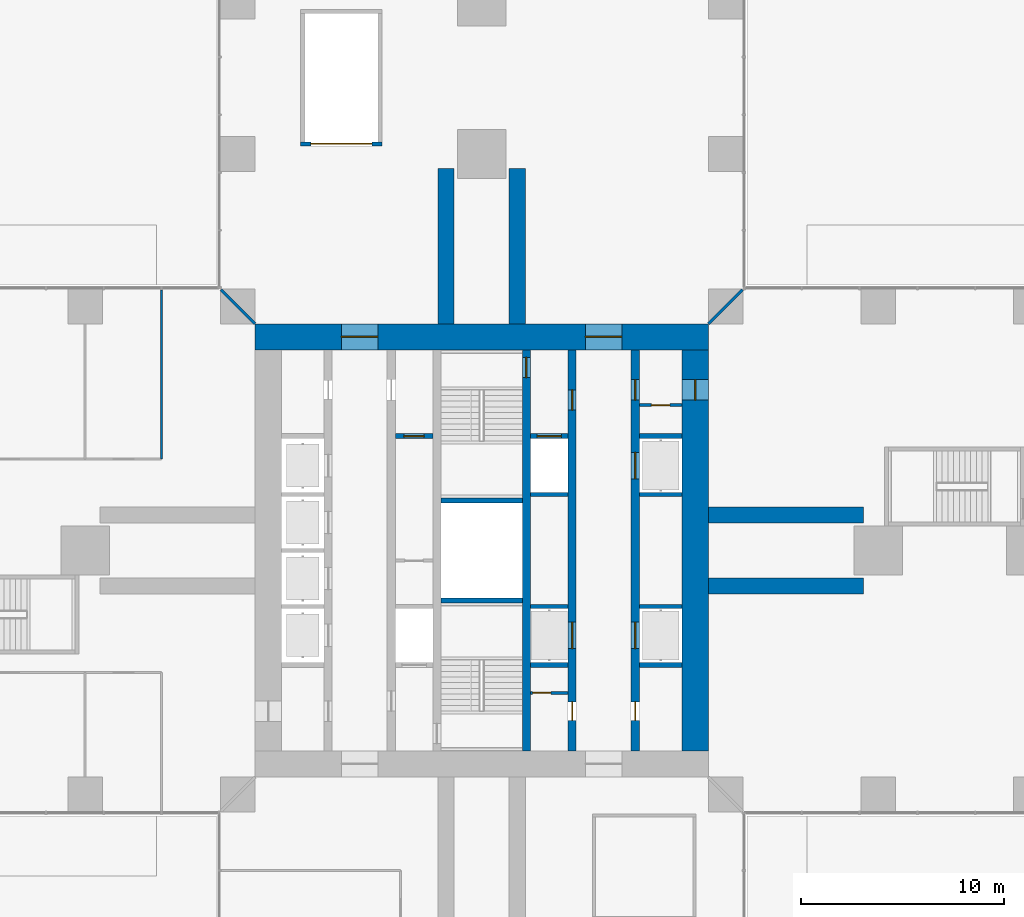
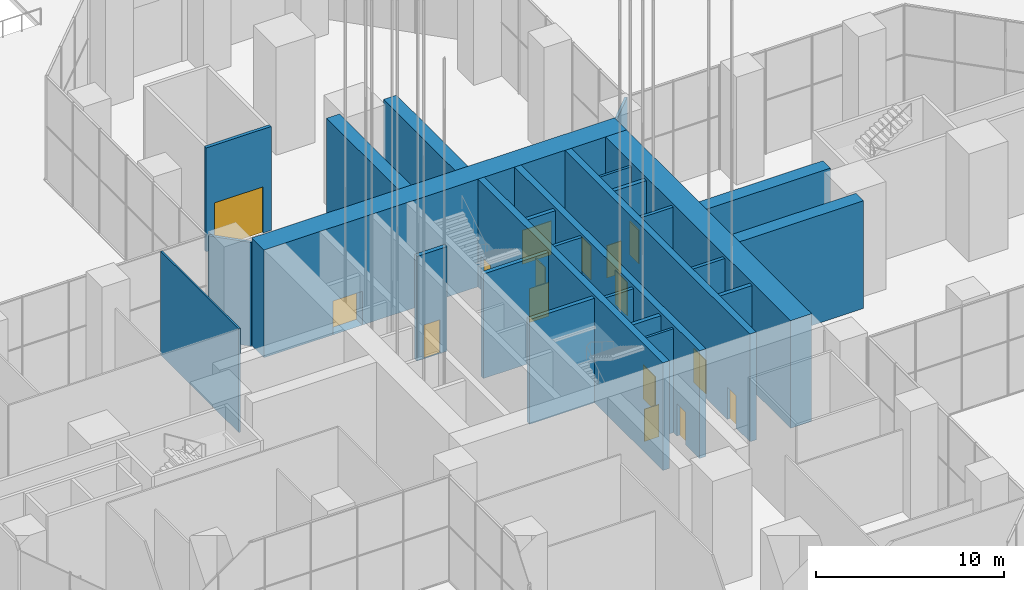
# One storey, part 19 of 43: 26 walls, 16 doors, 16 openings.
"""IFC4 building model written with IfcOpenShell, lengths in metres."""

from ifc_helpers import new_model, si_unit, direction, frame, frame_2d, origin, place, context, subcontext, project, spatial, rectangle, extrude, material, layer, layer_set, type_object, element, fill, save


model = new_model("IFC4")

# Units and contexts
model_context = context("Model", 3, precision=1e-05, world=origin(), true_north=direction((0.0, 1.0)))
body_context = subcontext(model_context, "Body", "Model", "MODEL_VIEW")
ifc_project = project(units=[si_unit("LENGTHUNIT", "METRE"), si_unit("AREAUNIT", "SQUARE_METRE"), si_unit("VOLUMEUNIT", "CUBIC_METRE"), si_unit("PLANEANGLEUNIT", "RADIAN"), si_unit("MASSUNIT", "GRAM", prefix="KILO")], contexts=[model_context])

# Site, building, storey
site_placement = place(None, origin())
site = spatial("IfcSite", under=ifc_project, at=site_placement, CompositionType="ELEMENT")
building_placement = place(site_placement, origin())
building = spatial("IfcBuilding", under=site, at=building_placement, Name="Mizan Broadcast Tower", CompositionType="ELEMENT")
storey_placement = place(building_placement, origin())
storey = spatial("IfcBuildingStorey", under=building, at=storey_placement, Name="L00", CompositionType="ELEMENT", Elevation=0.0)

# Wall, openings, doors
ifc_material_1 = material(Name="Concrete C70/85", Category="concrete")
ifc_layer_1 = layer(ifc_material_1, 0.39990234375)
ifc_layer_set_1 = layer_set([ifc_layer_1], Name="Concrete C70/85")
wall_type_1 = type_object("IfcWallType", Name="CORE INTERNAL WALL 400", PredefinedType="SHEAR", material=ifc_layer_set_1)
wall_1_placement = place(storey_placement, frame((7.550048828125, 9.85009765625, 0.0), z_axis=(0.0, 0.0, 1.0), x_axis=(0.0, -1.0, 0.0)))
wall_1 = element("IfcWall", 1, at=wall_1_placement, inside=storey, type_object=wall_type_1, Name="Core wall CORE/XW1E", PredefinedType="SHEAR", context=body_context, shape_type="SweptSolid", body=[
    extrude(rectangle(XDim=19.7001953125, YDim=0.39990234375, at=frame_2d((9.85009765625, 0.0))), origin(), (0.0, 0.0, 1.0), 7.0),
])
opening_1_placement = place(wall_1_placement, frame((1.449951171875, 0.0, 0.0)))
opening_1 = element("IfcOpeningElement", 2, at=opening_1_placement, cuts=wall_1, Name="Opening D10F", PredefinedType="OPENING", context=body_context, shape_type="SweptSolid", body=[
    extrude(rectangle(XDim=1.0, YDim=2.199951171875, at=frame_2d((0.5, 1.10009765625))), frame((0.0, 0.2099609375, 0.0), z_axis=(0.0, -1.0, 0.0), x_axis=(1.0, 0.0, 0.0)), (0.0, 0.0, 1.0), 0.419921875),
])
opening_2_placement = place(wall_1_placement, frame((17.300048828125, 0.0, 0.0)))
opening_2 = element("IfcOpeningElement", 3, at=opening_2_placement, cuts=wall_1, Name="Opening D09", PredefinedType="OPENING", context=body_context, shape_type="SweptSolid", body=[
    extrude(rectangle(XDim=0.89990234375, YDim=2.10009765625, at=frame_2d((0.449951171875, 1.050048828125))), frame((0.0, 0.2099609375, 0.0), z_axis=(0.0, -1.0, 0.0), x_axis=(1.0, 0.0, 0.0)), (0.0, 0.0, 1.0), 0.419921875),
])
opening_3_placement = place(wall_1_placement, frame((5.02490234375, 0.0, 0.0)))
opening_3 = element("IfcOpeningElement", 4, at=opening_3_placement, cuts=wall_1, Name="Opening LDS", PredefinedType="OPENING", context=body_context, shape_type="SweptSolid", body=[
    extrude(rectangle(XDim=1.300048828125, YDim=2.199951171875, at=frame_2d((0.64990234375, 1.10009765625))), frame((0.0, 0.2099609375, 0.0), z_axis=(0.0, -1.0, 0.0), x_axis=(1.0, 0.0, 0.0)), (0.0, 0.0, 1.0), 0.419921875),
])
opening_4_placement = place(wall_1_placement, frame((13.375, 0.0, 0.0)))
opening_4 = element("IfcOpeningElement", 5, at=opening_4_placement, cuts=wall_1, Name="Opening LDS", PredefinedType="OPENING", context=body_context, shape_type="SweptSolid", body=[
    extrude(rectangle(XDim=1.300048828125, YDim=2.199951171875, at=frame_2d((0.64990234375, 1.10009765625))), frame((0.0, 0.2099609375, 0.0), z_axis=(0.0, -1.0, 0.0), x_axis=(1.0, 0.0, 0.0)), (0.0, 0.0, 1.0), 0.419921875),
])
ifc_material_2 = material(Name="Steel door leaf in steel frame", Category="steel")
door_type_1 = type_object("IfcDoorType", Name="FIRE DOOR 1000 FD90", OperationType="SINGLE_SWING_LEFT", PredefinedType="DOOR", material=ifc_material_2)
door_1_placement = place(opening_1_placement, origin())
door_1 = element("IfcDoor", 6, at=door_1_placement, inside=storey, type_object=door_type_1, Name="East core passage door", OperationType="SINGLE_SWING_LEFT", OverallHeight=2.199951171875, OverallWidth=1.0, PredefinedType="DOOR", context=body_context, shape_type="SweptSolid", body=[
    extrude(rectangle(XDim=1.0, YDim=2.199951171875, at=frame_2d((0.5, 1.10009765625))), frame((0.0, 0.02490234375, 0.0), z_axis=(0.0, -1.0, 0.0), x_axis=(1.0, 0.0, 0.0)), (0.0, 0.0, 1.0), 0.050048828125),
])
fill(opening_1, door_1)
ifc_material_3 = material(Name="Steel door leaf in steel frame", Category="steel")
door_type_2 = type_object("IfcDoorType", Name="SHUTTLE LIFT LANDING DOOR 1300", OperationType="SLIDING_TO_LEFT", PredefinedType="DOOR", material=ifc_material_3)
door_2_placement = place(opening_3_placement, origin())
door_2 = element("IfcDoor", 7, at=door_2_placement, inside=storey, type_object=door_type_2, Name="Landing door SH1", OperationType="SLIDING_TO_LEFT", OverallHeight=2.199951171875, OverallWidth=1.300048828125, PredefinedType="DOOR", context=body_context, shape_type="SweptSolid", body=[
    extrude(rectangle(XDim=1.300048828125, YDim=2.199951171875, at=frame_2d((0.64990234375, 1.10009765625))), frame((0.0, 0.02490234375, 0.0), z_axis=(0.0, -1.0, 0.0), x_axis=(1.0, 0.0, 0.0)), (0.0, 0.0, 1.0), 0.050048828125),
])
fill(opening_3, door_2)
door_3_placement = place(opening_4_placement, origin())
door_3 = element("IfcDoor", 8, at=door_3_placement, inside=storey, type_object=door_type_2, Name="Landing door SH2", OperationType="SLIDING_TO_LEFT", OverallHeight=2.199951171875, OverallWidth=1.300048828125, PredefinedType="DOOR", context=body_context, shape_type="SweptSolid", body=[
    extrude(rectangle(XDim=1.300048828125, YDim=2.199951171875, at=frame_2d((0.64990234375, 1.10009765625))), frame((0.0, 0.02490234375, 0.0), z_axis=(0.0, -1.0, 0.0), x_axis=(1.0, 0.0, 0.0)), (0.0, 0.0, 1.0), 0.050048828125),
])
fill(opening_4, door_3)
ifc_material_4 = material(Name="Timber door leaf in aluminium frame", Category="wood")
door_type_3 = type_object("IfcDoorType", Name="TOILET DOOR 900", OperationType="SINGLE_SWING_LEFT", PredefinedType="DOOR", material=ifc_material_4)
door_4_placement = place(opening_2_placement, origin())
door_4 = element("IfcDoor", 9, at=door_4_placement, inside=storey, type_object=door_type_3, Name="Female WC door", OperationType="SINGLE_SWING_RIGHT", OverallHeight=2.10009765625, OverallWidth=0.89990234375, PredefinedType="DOOR", context=body_context, shape_type="SweptSolid", body=[
    extrude(rectangle(XDim=0.89990234375, YDim=2.10009765625, at=frame_2d((0.449951171875, 1.050048828125))), frame((0.0, 0.02490234375, 0.0), z_axis=(0.0, -1.0, 0.0), x_axis=(1.0, 0.0, 0.0)), (0.0, 0.0, 1.0), 0.050048828125),
])
fill(opening_2, door_4)

wall_2_placement = place(storey_placement, frame((4.449951171875, 9.85009765625, 0.0), z_axis=(0.0, 0.0, 1.0), x_axis=(0.0, -1.0, 0.0)))
wall_2 = element("IfcWall", 10, at=wall_2_placement, inside=storey, type_object=wall_type_1, Name="Core wall CORE/XWHE", PredefinedType="SHEAR", context=body_context, shape_type="SweptSolid", body=[
    extrude(rectangle(XDim=19.7001953125, YDim=0.39990234375, at=frame_2d((9.85009765625, 0.0))), origin(), (0.0, 0.0, 1.0), 7.0),
])
opening_5_placement = place(wall_2_placement, frame((1.949951171875, 0.0, 0.0)))
opening_5 = element("IfcOpeningElement", 11, at=opening_5_placement, cuts=wall_2, Name="Opening D10F", PredefinedType="OPENING", context=body_context, shape_type="SweptSolid", body=[
    extrude(rectangle(XDim=1.0, YDim=2.199951171875, at=frame_2d((0.5, 1.10009765625))), frame((0.0, 0.2099609375, 0.0), z_axis=(0.0, -1.0, 0.0), x_axis=(1.0, 0.0, 0.0)), (0.0, 0.0, 1.0), 0.419921875),
])
opening_6_placement = place(wall_2_placement, frame((17.300048828125, 0.0, 0.0)))
opening_6 = element("IfcOpeningElement", 12, at=opening_6_placement, cuts=wall_2, Name="Opening D09", PredefinedType="OPENING", context=body_context, shape_type="SweptSolid", body=[
    extrude(rectangle(XDim=0.89990234375, YDim=2.10009765625, at=frame_2d((0.449951171875, 1.050048828125))), frame((0.0, 0.2099609375, 0.0), z_axis=(0.0, -1.0, 0.0), x_axis=(1.0, 0.0, 0.0)), (0.0, 0.0, 1.0), 0.419921875),
])
opening_7_placement = place(wall_2_placement, frame((13.375, 0.0, 0.0)))
opening_7 = element("IfcOpeningElement", 13, at=opening_7_placement, cuts=wall_2, Name="Opening LDS", PredefinedType="OPENING", context=body_context, shape_type="SweptSolid", body=[
    extrude(rectangle(XDim=1.300048828125, YDim=2.199951171875, at=frame_2d((0.64990234375, 1.10009765625))), frame((0.0, 0.2099609375, 0.0), z_axis=(0.0, -1.0, 0.0), x_axis=(1.0, 0.0, 0.0)), (0.0, 0.0, 1.0), 0.419921875),
])
door_5_placement = place(opening_5_placement, origin())
door_5 = element("IfcDoor", 14, at=door_5_placement, inside=storey, type_object=door_type_1, Name="Firefighting lobby B door", OperationType="SINGLE_SWING_LEFT", OverallHeight=2.199951171875, OverallWidth=1.0, PredefinedType="DOOR", context=body_context, shape_type="SweptSolid", body=[
    extrude(rectangle(XDim=1.0, YDim=2.199951171875, at=frame_2d((0.5, 1.10009765625))), frame((0.0, 0.02490234375, 0.0), z_axis=(0.0, -1.0, 0.0), x_axis=(1.0, 0.0, 0.0)), (0.0, 0.0, 1.0), 0.050048828125),
])
fill(opening_5, door_5)
door_6_placement = place(opening_7_placement, origin())
door_6 = element("IfcDoor", 15, at=door_6_placement, inside=storey, type_object=door_type_2, Name="Landing door SH3", OperationType="SLIDING_TO_LEFT", OverallHeight=2.199951171875, OverallWidth=1.300048828125, PredefinedType="DOOR", context=body_context, shape_type="SweptSolid", body=[
    extrude(rectangle(XDim=1.300048828125, YDim=2.199951171875, at=frame_2d((0.64990234375, 1.10009765625))), frame((0.0, 0.02490234375, 0.0), z_axis=(0.0, -1.0, 0.0), x_axis=(1.0, 0.0, 0.0)), (0.0, 0.0, 1.0), 0.050048828125),
])
fill(opening_7, door_6)
door_7_placement = place(opening_6_placement, origin())
door_7 = element("IfcDoor", 16, at=door_7_placement, inside=storey, type_object=door_type_3, Name="Cleaner's store door", OperationType="SINGLE_SWING_RIGHT", OverallHeight=2.10009765625, OverallWidth=0.89990234375, PredefinedType="DOOR", context=body_context, shape_type="SweptSolid", body=[
    extrude(rectangle(XDim=0.89990234375, YDim=2.10009765625, at=frame_2d((0.449951171875, 1.050048828125))), frame((0.0, 0.02490234375, 0.0), z_axis=(0.0, -1.0, 0.0), x_axis=(1.0, 0.0, 0.0)), (0.0, 0.0, 1.0), 0.050048828125),
])
fill(opening_6, door_7)

# Wall, opening, door
wall_3_placement = place(storey_placement, frame((2.199951171875, 9.85009765625, 0.0), z_axis=(0.0, 0.0, 1.0), x_axis=(0.0, -1.0, 0.0)))
wall_3 = element("IfcWall", 17, at=wall_3_placement, inside=storey, type_object=wall_type_1, Name="Core wall CORE/XW2E", PredefinedType="SHEAR", context=body_context, shape_type="SweptSolid", body=[
    extrude(rectangle(XDim=19.7001953125, YDim=0.39990234375, at=frame_2d((9.85009765625, 0.0))), origin(), (0.0, 0.0, 1.0), 7.0),
])
opening_8_placement = place(wall_3_placement, frame((0.35009765625, 0.0, 0.0)))
opening_8 = element("IfcOpeningElement", 18, at=opening_8_placement, cuts=wall_3, Name="Opening D10S", PredefinedType="OPENING", context=body_context, shape_type="SweptSolid", body=[
    extrude(rectangle(XDim=1.0, YDim=2.199951171875, at=frame_2d((0.5, 1.10009765625))), frame((0.0, 0.2099609375, 0.0), z_axis=(0.0, -1.0, 0.0), x_axis=(1.0, 0.0, 0.0)), (0.0, 0.0, 1.0), 0.419921875),
])
ifc_material_5 = material(Name="Steel door leaf in steel frame", Category="steel")
door_type_4 = type_object("IfcDoorType", Name="STAIR DOOR 1000 FD90S", OperationType="SINGLE_SWING_RIGHT", PredefinedType="DOOR", material=ifc_material_5)
door_8_placement = place(opening_8_placement, origin())
door_8 = element("IfcDoor", 19, at=door_8_placement, inside=storey, type_object=door_type_4, Name="Stair B door", OperationType="SINGLE_SWING_RIGHT", OverallHeight=2.199951171875, OverallWidth=1.0, PredefinedType="DOOR", context=body_context, shape_type="SweptSolid", body=[
    extrude(rectangle(XDim=1.0, YDim=2.199951171875, at=frame_2d((0.5, 1.10009765625))), frame((0.0, 0.02490234375, 0.0), z_axis=(0.0, -1.0, 0.0), x_axis=(1.0, 0.0, 0.0)), (0.0, 0.0, 1.0), 0.050048828125),
])
fill(opening_8, door_8)

ifc_material_6 = material(Name="Concrete blockwork", Category="masonry")
ifc_layer_2 = layer(ifc_material_6, 0.14990234375)
ifc_layer_set_2 = layer_set([ifc_layer_2], Name="Concrete blockwork")
wall_type_2 = type_object("IfcWallType", Name="CORE PARTITION 150", PredefinedType="SOLIDWALL", material=ifc_layer_set_2)
wall_4_placement = place(storey_placement, frame((2.39990234375, -7.0, 0.0), z_axis=(0.0, 0.0, 1.0), x_axis=(1.0, 0.0, 0.0)))
wall_4 = element("IfcWall", 20, at=wall_4_placement, inside=storey, type_object=wall_type_2, Name="Core partition CORE/XPC", PredefinedType="SOLIDWALL", context=body_context, shape_type="SweptSolid", body=[
    extrude(rectangle(XDim=1.85009765625, YDim=0.14990234375, at=frame_2d((0.925048828125, 0.0))), origin(), (0.0, 0.0, 1.0), 6.75),
])
opening_9_placement = place(wall_4_placement, frame((0.10009765625, 0.0, 0.0)))
opening_9 = element("IfcOpeningElement", 21, at=opening_9_placement, cuts=wall_4, Name="Opening D09F", PredefinedType="OPENING", context=body_context, shape_type="SweptSolid", body=[
    extrude(rectangle(XDim=0.89990234375, YDim=2.10009765625, at=frame_2d((0.449951171875, 1.050048828125))), frame((0.0, 0.0849609375, 0.0), z_axis=(0.0, -1.0, 0.0), x_axis=(1.0, 0.0, 0.0)), (0.0, 0.0, 1.0), 0.169921875),
])
ifc_material_7 = material(Name="Steel door leaf in steel frame", Category="steel")
door_type_5 = type_object("IfcDoorType", Name="CORE ROOM DOOR 900 FD90", OperationType="SINGLE_SWING_LEFT", PredefinedType="DOOR", material=ifc_material_7)
door_9_placement = place(opening_9_placement, origin())
door_9 = element("IfcDoor", 22, at=door_9_placement, inside=storey, type_object=door_type_5, Name="Cleaning materials store door", OperationType="SINGLE_SWING_LEFT", OverallHeight=2.10009765625, OverallWidth=0.89990234375, PredefinedType="DOOR", context=body_context, shape_type="SweptSolid", body=[
    extrude(rectangle(XDim=0.89990234375, YDim=2.10009765625, at=frame_2d((0.449951171875, 1.050048828125))), frame((0.0, 0.02490234375, 0.0), z_axis=(0.0, -1.0, 0.0), x_axis=(1.0, 0.0, 0.0)), (0.0, 0.0, 1.0), 0.050048828125),
])
fill(opening_9, door_9)

wall_5_placement = place(storey_placement, frame((9.85009765625, 7.14990234375, 0.0), z_axis=(0.0, 0.0, 1.0), x_axis=(-1.0, 0.0, 0.0)))
wall_5 = element("IfcWall", 23, at=wall_5_placement, inside=storey, type_object=wall_type_2, Name="Core partition CORE/XPE", PredefinedType="SOLIDWALL", context=body_context, shape_type="SweptSolid", body=[
    extrude(rectangle(XDim=2.10009765625, YDim=0.14990234375, at=frame_2d((1.050048828125, 0.0))), origin(), (0.0, 0.0, 1.0), 6.75),
])
opening_10_placement = place(wall_5_placement, frame((0.60009765625, 0.0, 0.0)))
opening_10 = element("IfcOpeningElement", 24, at=opening_10_placement, cuts=wall_5, Name="Opening D09F", PredefinedType="OPENING", context=body_context, shape_type="SweptSolid", body=[
    extrude(rectangle(XDim=0.89990234375, YDim=2.10009765625, at=frame_2d((0.449951171875, 1.050048828125))), frame((0.0, 0.0849609375, 0.0), z_axis=(0.0, -1.0, 0.0), x_axis=(1.0, 0.0, 0.0)), (0.0, 0.0, 1.0), 0.169921875),
])
door_10_placement = place(opening_10_placement, origin())
door_10 = element("IfcDoor", 25, at=door_10_placement, inside=storey, type_object=door_type_5, Name="Comms cupboard door", OperationType="SINGLE_SWING_RIGHT", OverallHeight=2.10009765625, OverallWidth=0.89990234375, PredefinedType="DOOR", context=body_context, shape_type="SweptSolid", body=[
    extrude(rectangle(XDim=0.89990234375, YDim=2.10009765625, at=frame_2d((0.449951171875, 1.050048828125))), frame((0.0, 0.02490234375, 0.0), z_axis=(0.0, -1.0, 0.0), x_axis=(1.0, 0.0, 0.0)), (0.0, 0.0, 1.0), 0.050048828125),
])
fill(opening_10, door_10)

# Wall, openings, doors
ifc_material_8 = material(Name="Concrete C70/85", Category="concrete")
ifc_layer_3 = layer(ifc_material_8, 1.300048828125)
ifc_layer_set_3 = layer_set([ifc_layer_3], Name="Concrete C70/85")
wall_type_3 = type_object("IfcWallType", Name="CORE WALL 1300", PredefinedType="SHEAR", material=ifc_layer_set_3)
wall_6_placement = place(storey_placement, frame((-11.14990234375, 10.5, 0.0), z_axis=(0.0, 0.0, 1.0), x_axis=(1.0, 0.0, 0.0)))
wall_6 = element("IfcWall", 26, at=wall_6_placement, inside=storey, type_object=wall_type_3, Name="Core wall N L00", PredefinedType="SHEAR", context=body_context, shape_type="SweptSolid", body=[
    extrude(rectangle(XDim=22.2998046875, YDim=1.300048828125, at=frame_2d((11.14990234375, 0.0))), origin(), (0.0, 0.0, 1.0), 7.0),
])
opening_11_placement = place(wall_6_placement, frame((4.25, 0.0, 0.0)))
opening_11 = element("IfcOpeningElement", 27, at=opening_11_placement, cuts=wall_6, Name="Opening D18F", PredefinedType="OPENING", context=body_context, shape_type="SweptSolid", body=[
    extrude(rectangle(XDim=1.800048828125, YDim=2.199951171875, at=frame_2d((0.89990234375, 1.10009765625))), frame((0.0, 0.659912109375, 0.0), z_axis=(0.0, -1.0, 0.0), x_axis=(1.0, 0.0, 0.0)), (0.0, 0.0, 1.0), 1.320068359375),
])
opening_12_placement = place(wall_6_placement, frame((16.25, 0.0, 0.0)))
opening_12 = element("IfcOpeningElement", 28, at=opening_12_placement, cuts=wall_6, Name="Opening D18F", PredefinedType="OPENING", context=body_context, shape_type="SweptSolid", body=[
    extrude(rectangle(XDim=1.800048828125, YDim=2.199951171875, at=frame_2d((0.89990234375, 1.10009765625))), frame((0.0, 0.659912109375, 0.0), z_axis=(0.0, -1.0, 0.0), x_axis=(1.0, 0.0, 0.0)), (0.0, 0.0, 1.0), 1.320068359375),
])
ifc_material_9 = material(Name="Steel door leaf in steel frame", Category="steel")
door_type_6 = type_object("IfcDoorType", Name="LOBBY DOUBLE DOOR 1800 FD90", OperationType="DOUBLE_DOOR_DOUBLE_SWING", PredefinedType="DOOR", material=ifc_material_9)
door_11_placement = place(opening_11_placement, origin())
door_11 = element("IfcDoor", 29, at=door_11_placement, inside=storey, type_object=door_type_6, Name="West lift lobby north door", OperationType="DOUBLE_DOOR_DOUBLE_SWING", OverallHeight=2.199951171875, OverallWidth=1.800048828125, PredefinedType="DOOR", context=body_context, shape_type="SweptSolid", body=[
    extrude(rectangle(XDim=1.800048828125, YDim=2.199951171875, at=frame_2d((0.89990234375, 1.10009765625))), frame((0.0, 0.02490234375, 0.0), z_axis=(0.0, -1.0, 0.0), x_axis=(1.0, 0.0, 0.0)), (0.0, 0.0, 1.0), 0.050048828125),
])
fill(opening_11, door_11)
door_12_placement = place(opening_12_placement, origin())
door_12 = element("IfcDoor", 30, at=door_12_placement, inside=storey, type_object=door_type_6, Name="East lift lobby north door", OperationType="DOUBLE_DOOR_DOUBLE_SWING", OverallHeight=2.199951171875, OverallWidth=1.800048828125, PredefinedType="DOOR", context=body_context, shape_type="SweptSolid", body=[
    extrude(rectangle(XDim=1.800048828125, YDim=2.199951171875, at=frame_2d((0.89990234375, 1.10009765625))), frame((0.0, 0.02490234375, 0.0), z_axis=(0.0, -1.0, 0.0), x_axis=(1.0, 0.0, 0.0)), (0.0, 0.0, 1.0), 0.050048828125),
])
fill(opening_12, door_12)

# Wall, opening, door
wall_7_placement = place(storey_placement, frame((10.5, -9.85009765625, 0.0), z_axis=(0.0, 0.0, 1.0), x_axis=(0.0, 1.0, 0.0)))
wall_7 = element("IfcWall", 31, at=wall_7_placement, inside=storey, type_object=wall_type_3, Name="Core wall E L00", PredefinedType="SHEAR", context=body_context, shape_type="SweptSolid", body=[
    extrude(rectangle(XDim=19.7001953125, YDim=1.300048828125, at=frame_2d((9.85009765625, 0.0))), origin(), (0.0, 0.0, 1.0), 7.0),
])
opening_13_placement = place(wall_7_placement, frame((17.25, 0.0, 0.0)))
opening_13 = element("IfcOpeningElement", 32, at=opening_13_placement, cuts=wall_7, Name="Opening D10F", PredefinedType="OPENING", context=body_context, shape_type="SweptSolid", body=[
    extrude(rectangle(XDim=1.0, YDim=2.199951171875, at=frame_2d((0.5, 1.10009765625))), frame((0.0, 0.659912109375, 0.0), z_axis=(0.0, -1.0, 0.0), x_axis=(1.0, 0.0, 0.0)), (0.0, 0.0, 1.0), 1.320068359375),
])
door_13_placement = place(opening_13_placement, origin())
door_13 = element("IfcDoor", 33, at=door_13_placement, inside=storey, type_object=door_type_1, Name="East core passage arm door", OperationType="SINGLE_SWING_RIGHT", OverallHeight=2.199951171875, OverallWidth=1.0, PredefinedType="DOOR", context=body_context, shape_type="SweptSolid", body=[
    extrude(rectangle(XDim=1.0, YDim=2.199951171875, at=frame_2d((0.5, 1.10009765625))), frame((0.0, 0.02490234375, 0.0), z_axis=(0.0, -1.0, 0.0), x_axis=(1.0, 0.0, 0.0)), (0.0, 0.0, 1.0), 0.050048828125),
])
fill(opening_13, door_13)

# Walls
ifc_material_10 = material(Name="Concrete blockwork", Category="masonry")
ifc_layer_4 = layer(ifc_material_10, 0.199951171875)
ifc_layer_set_4 = layer_set([ifc_layer_4], Name="Concrete blockwork")
wall_type_4 = type_object("IfcWallType", Name="LIFT SHAFT WALL 200", PredefinedType="SOLIDWALL", material=ifc_layer_set_4)
wall_8_placement = place(storey_placement, frame((2.39990234375, -2.75, 0.0), z_axis=(0.0, 0.0, 1.0), x_axis=(1.0, 0.0, 0.0)))
element("IfcWall", 34, at=wall_8_placement, inside=storey, type_object=wall_type_4, Name="Lift shaft wall CORE/SE2-1", PredefinedType="SOLIDWALL", context=body_context, shape_type="SweptSolid", body=[
    extrude(rectangle(XDim=1.85009765625, YDim=0.199951171875, at=frame_2d((0.925048828125, 0.0))), origin(), (0.0, 0.0, 1.0), 6.800048828125),
])
wall_9_placement = place(storey_placement, frame((7.75, -2.75, 0.0), z_axis=(0.0, 0.0, 1.0), x_axis=(1.0, 0.0, 0.0)))
element("IfcWall", 35, at=wall_9_placement, inside=storey, type_object=wall_type_4, Name="Lift shaft wall CORE/SE1-1", PredefinedType="SOLIDWALL", context=body_context, shape_type="SweptSolid", body=[
    extrude(rectangle(XDim=2.10009765625, YDim=0.199951171875, at=frame_2d((1.050048828125, 0.0))), origin(), (0.0, 0.0, 1.0), 6.800048828125),
])
wall_10_placement = place(storey_placement, frame((2.39990234375, 2.75, 0.0), z_axis=(0.0, 0.0, 1.0), x_axis=(1.0, 0.0, 0.0)))
element("IfcWall", 36, at=wall_10_placement, inside=storey, type_object=wall_type_4, Name="Lift shaft wall CORE/SE2-3", PredefinedType="SOLIDWALL", context=body_context, shape_type="SweptSolid", body=[
    extrude(rectangle(XDim=1.85009765625, YDim=0.199951171875, at=frame_2d((0.925048828125, 0.0))), origin(), (0.0, 0.0, 1.0), 6.800048828125),
])
wall_11_placement = place(storey_placement, frame((7.75, 2.75, 0.0), z_axis=(0.0, 0.0, 1.0), x_axis=(1.0, 0.0, 0.0)))
element("IfcWall", 37, at=wall_11_placement, inside=storey, type_object=wall_type_4, Name="Lift shaft wall CORE/SE1-3", PredefinedType="SOLIDWALL", context=body_context, shape_type="SweptSolid", body=[
    extrude(rectangle(XDim=2.10009765625, YDim=0.199951171875, at=frame_2d((1.050048828125, 0.0))), origin(), (0.0, 0.0, 1.0), 6.800048828125),
])

# Wall, opening, door
wall_12_placement = place(storey_placement, frame((-4.89990234375, 20.0, 0.0), z_axis=(0.0, 0.0, 1.0), x_axis=(-1.0, 0.0, 0.0)))
wall_12 = element("IfcWall", 38, at=wall_12_placement, inside=storey, type_object=wall_type_4, Name="Lift shaft wall GLS/U0", PredefinedType="SOLIDWALL", context=body_context, shape_type="SweptSolid", body=[
    extrude(rectangle(XDim=4.0, YDim=0.199951171875, at=frame_2d((2.0, 0.0))), origin(), (0.0, 0.0, 1.0), 6.75),
])
opening_14_placement = place(wall_12_placement, frame((0.5, 0.0, 0.0)))
opening_14 = element("IfcOpeningElement", 39, at=opening_14_placement, cuts=wall_12, Name="Opening LDG", PredefinedType="OPENING", context=body_context, shape_type="SweptSolid", body=[
    extrude(rectangle(XDim=3.0, YDim=3.0, at=frame_2d((1.5, 1.5))), frame((0.0, 0.10986328125, 0.0), z_axis=(0.0, -1.0, 0.0), x_axis=(1.0, 0.0, 0.0)), (0.0, 0.0, 1.0), 0.219970703125),
])
ifc_material_11 = material(Name="Steel door leaf in steel frame", Category="steel")
door_type_7 = type_object("IfcDoorType", Name="GOODS LIFT LANDING DOOR 3000", OperationType="SLIDING_TO_LEFT", PredefinedType="DOOR", material=ifc_material_11)
door_14_placement = place(opening_14_placement, origin())
door_14 = element("IfcDoor", 40, at=door_14_placement, inside=storey, type_object=door_type_7, Name="Landing door GL1", OperationType="SLIDING_TO_LEFT", OverallHeight=3.0, OverallWidth=3.0, PredefinedType="DOOR", context=body_context, shape_type="SweptSolid", body=[
    extrude(rectangle(XDim=3.0, YDim=3.0, at=frame_2d((1.5, 1.5))), frame((0.0, 0.02490234375, 0.0), z_axis=(0.0, -1.0, 0.0), x_axis=(1.0, 0.0, 0.0)), (0.0, 0.0, 1.0), 0.050048828125),
])
fill(opening_14, door_14)

ifc_material_12 = material(Name="Concrete blockwork", Category="masonry")
ifc_layer_5 = layer(ifc_material_12, 0.25)
ifc_layer_set_5 = layer_set([ifc_layer_5], Name="Concrete blockwork")
wall_type_5 = type_object("IfcWallType", Name="LOBBY ENCLOSURE WALL 250", PredefinedType="SOLIDWALL", material=ifc_layer_set_5)
wall_13_placement = place(storey_placement, frame((-4.25, 5.625, 0.0), z_axis=(0.0, 0.0, 1.0), x_axis=(1.0, 0.0, 0.0)))
wall_13 = element("IfcWall", 41, at=wall_13_placement, inside=storey, type_object=wall_type_5, Name="Lobby enclosure wall CORE/BW2N", PredefinedType="SOLIDWALL", context=body_context, shape_type="SweptSolid", body=[
    extrude(rectangle(XDim=1.85009765625, YDim=0.25, at=frame_2d((0.925048828125, 0.0))), origin(), (0.0, 0.0, 1.0), 6.800048828125),
])
opening_15_placement = place(wall_13_placement, frame((0.425048828125, 0.0, 0.0)))
opening_15 = element("IfcOpeningElement", 42, at=opening_15_placement, cuts=wall_13, Name="Opening D10F", PredefinedType="OPENING", context=body_context, shape_type="SweptSolid", body=[
    extrude(rectangle(XDim=1.0, YDim=2.199951171875, at=frame_2d((0.5, 1.10009765625))), frame((0.0, 0.135009765625, 0.0), z_axis=(0.0, -1.0, 0.0), x_axis=(1.0, 0.0, 0.0)), (0.0, 0.0, 1.0), 0.27001953125),
])
door_15_placement = place(opening_15_placement, origin())
door_15 = element("IfcDoor", 43, at=door_15_placement, inside=storey, type_object=door_type_1, Name="Accessible shower room door", OperationType="SINGLE_SWING_RIGHT", OverallHeight=2.199951171875, OverallWidth=1.0, PredefinedType="DOOR", context=body_context, shape_type="SweptSolid", body=[
    extrude(rectangle(XDim=1.0, YDim=2.199951171875, at=frame_2d((0.5, 1.10009765625))), frame((0.0, 0.02490234375, 0.0), z_axis=(0.0, -1.0, 0.0), x_axis=(1.0, 0.0, 0.0)), (0.0, 0.0, 1.0), 0.050048828125),
])
fill(opening_15, door_15)

wall_14_placement = place(storey_placement, frame((2.39990234375, 5.625, 0.0), z_axis=(0.0, 0.0, 1.0), x_axis=(1.0, 0.0, 0.0)))
wall_14 = element("IfcWall", 44, at=wall_14_placement, inside=storey, type_object=wall_type_5, Name="Lobby enclosure wall CORE/BE2N", PredefinedType="SOLIDWALL", context=body_context, shape_type="SweptSolid", body=[
    extrude(rectangle(XDim=1.85009765625, YDim=0.25, at=frame_2d((0.925048828125, 0.0))), origin(), (0.0, 0.0, 1.0), 6.800048828125),
])
opening_16_placement = place(wall_14_placement, frame((0.324951171875, 0.0, 0.0)))
opening_16 = element("IfcOpeningElement", 45, at=opening_16_placement, cuts=wall_14, Name="Opening LDF", PredefinedType="OPENING", context=body_context, shape_type="SweptSolid", body=[
    extrude(rectangle(XDim=1.199951171875, YDim=2.199951171875, at=frame_2d((0.60009765625, 1.10009765625))), frame((0.0, 0.135009765625, 0.0), z_axis=(0.0, -1.0, 0.0), x_axis=(1.0, 0.0, 0.0)), (0.0, 0.0, 1.0), 0.27001953125),
])
ifc_material_13 = material(Name="Steel door leaf in steel frame", Category="steel")
door_type_8 = type_object("IfcDoorType", Name="FIREFIGHTING LIFT LANDING DOOR 1200", OperationType="SLIDING_TO_LEFT", PredefinedType="DOOR", material=ifc_material_13)
door_16_placement = place(opening_16_placement, origin())
door_16 = element("IfcDoor", 46, at=door_16_placement, inside=storey, type_object=door_type_8, Name="Landing door FF2", OperationType="SLIDING_TO_LEFT", OverallHeight=2.199951171875, OverallWidth=1.199951171875, PredefinedType="DOOR", context=body_context, shape_type="SweptSolid", body=[
    extrude(rectangle(XDim=1.199951171875, YDim=2.199951171875, at=frame_2d((0.60009765625, 1.10009765625))), frame((0.0, 0.02490234375, 0.0), z_axis=(0.0, -1.0, 0.0), x_axis=(1.0, 0.0, 0.0)), (0.0, 0.0, 1.0), 0.050048828125),
])
fill(opening_16, door_16)

# Walls
wall_15_placement = place(storey_placement, frame((7.75, 5.625, 0.0), z_axis=(0.0, 0.0, 1.0), x_axis=(1.0, 0.0, 0.0)))
element("IfcWall", 47, at=wall_15_placement, inside=storey, type_object=wall_type_5, Name="Lobby enclosure wall CORE/BE1N", PredefinedType="SOLIDWALL", context=body_context, shape_type="SweptSolid", body=[
    extrude(rectangle(XDim=2.10009765625, YDim=0.25, at=frame_2d((1.050048828125, 0.0))), origin(), (0.0, 0.0, 1.0), 6.800048828125),
])
wall_16_placement = place(storey_placement, frame((2.39990234375, -5.625, 0.0), z_axis=(0.0, 0.0, 1.0), x_axis=(1.0, 0.0, 0.0)))
element("IfcWall", 48, at=wall_16_placement, inside=storey, type_object=wall_type_5, Name="Lobby enclosure wall CORE/BE2S", PredefinedType="SOLIDWALL", context=body_context, shape_type="SweptSolid", body=[
    extrude(rectangle(XDim=1.85009765625, YDim=0.25, at=frame_2d((0.925048828125, 0.0))), origin(), (0.0, 0.0, 1.0), 6.800048828125),
])
wall_17_placement = place(storey_placement, frame((7.75, -5.625, 0.0), z_axis=(0.0, 0.0, 1.0), x_axis=(1.0, 0.0, 0.0)))
element("IfcWall", 49, at=wall_17_placement, inside=storey, type_object=wall_type_5, Name="Lobby enclosure wall CORE/BE1S", PredefinedType="SOLIDWALL", context=body_context, shape_type="SweptSolid", body=[
    extrude(rectangle(XDim=2.10009765625, YDim=0.25, at=frame_2d((1.050048828125, 0.0))), origin(), (0.0, 0.0, 1.0), 6.800048828125),
])
for number, where, z_axis, x_axis, name in (
    (50, (-2.0, -2.449951171875, 0.0), (0.0, 0.0, 1.0), (1.0, 0.0, 0.0), "Lobby enclosure wall CORE/STA"),
    (51, (-2.0, 2.449951171875, 0.0), (0.0, 0.0, 1.0), (1.0, 0.0, 0.0), "Lobby enclosure wall CORE/STB"),
):
    element("IfcWall", number, at=place(storey_placement, frame(where, z_axis=z_axis, x_axis=x_axis)), inside=storey, type_object=wall_type_5, Name=name, PredefinedType="SOLIDWALL", context=body_context, shape_type="SweptSolid", body=[
        extrude(rectangle(XDim=4.0, YDim=0.25, at=frame_2d((2.0, 0.0))), origin(), (0.0, 0.0, 1.0), 6.800048828125),
    ])
ifc_material_14 = material(Name="Gypsum board on steel studs", Category="steel")
ifc_layer_6 = layer(ifc_material_14, 0.14990234375)
ifc_layer_set_6 = layer_set([ifc_layer_6], Name="Gypsum board on steel studs")
wall_type_6 = type_object("IfcWallType", Name="PARTITION 150", PredefinedType="PARTITIONING", material=ifc_layer_set_6)
for number, where, z_axis, x_axis, name in (
    (52, (11.14990234375, 11.14990234375, 0.0), (0.0, 0.0, 1.0), (0.707106781187, 0.707106781187, 0.0), "Partition PT/DGEN"),
    (53, (-11.14990234375, 11.14990234375, 0.0), (0.0, 0.0, 1.0), (-0.707106781187, 0.707106781187, 0.0), "Partition PT/DGWN"),
):
    element("IfcWall", number, at=place(storey_placement, frame(where, z_axis=z_axis, x_axis=x_axis)), inside=storey, type_object=wall_type_6, Name=name, PredefinedType="PARTITIONING", context=body_context, shape_type="SweptSolid", body=[
        extrude(rectangle(XDim=2.362060546875, YDim=0.14990234375, at=frame_2d((1.18115234375, 0.0))), origin(), (0.0, 0.0, 1.0), 6.75),
    ])
ifc_material_15 = material(Name="Glazed aluminium partition on aluminium track", Category="aluminium")
ifc_layer_7 = layer(ifc_material_15, 0.10009765625)
ifc_layer_set_7 = layer_set([ifc_layer_7], Name="Glazed aluminium partition on aluminium track")
wall_type_7 = type_object("IfcWallType", Name="PARTITION GLAZED OFFICE FRONT 100", PredefinedType="PARTITIONING", material=ifc_layer_set_7)
wall_18_placement = place(storey_placement, frame((-15.742919921875, 4.5, 0.0), z_axis=(0.0, 0.0, 1.0), x_axis=(0.0, 1.0, 0.0)))
element("IfcWall", 54, at=wall_18_placement, inside=storey, type_object=wall_type_7, Name="Glazed office front PT/WGN1574", PredefinedType="PARTITIONING", context=body_context, shape_type="SweptSolid", body=[
    extrude(rectangle(XDim=8.320068359375, YDim=0.10009765625, at=frame_2d((4.16015625, 0.0))), origin(), (0.0, 0.0, 1.0), 6.75),
])
ifc_material_16 = material(Name="Concrete C70/85", Category="concrete")
ifc_layer_8 = layer(ifc_material_16, 0.800048828125)
ifc_layer_set_8 = layer_set([ifc_layer_8], Name="Concrete C70/85")
wall_type_8 = type_object("IfcWallType", Name="SPINE WALL 800", PredefinedType="SHEAR", material=ifc_layer_set_8)
for number, where, z_axis, x_axis, name in (
    (55, (11.14990234375, -1.75, 0.0), (0.0, 0.0, 1.0), (1.0, 0.0, 0.0), "Spine wall ER L00"),
    (56, (11.14990234375, 1.75, 0.0), (0.0, 0.0, 1.0), (1.0, 0.0, 0.0), "Spine wall EL L00"),
    (57, (1.75, 11.14990234375, 0.0), (0.0, 0.0, 1.0), (0.0, 1.0, 0.0), "Spine wall NR L00"),
    (58, (-1.75, 11.14990234375, 0.0), (0.0, 0.0, 1.0), (0.0, 1.0, 0.0), "Spine wall NL L00"),
):
    element("IfcWall", number, at=place(storey_placement, frame(where, z_axis=z_axis, x_axis=x_axis)), inside=storey, type_object=wall_type_8, Name=name, PredefinedType="SHEAR", context=body_context, shape_type="SweptSolid", body=[
        extrude(rectangle(XDim=7.625, YDim=0.800048828125, at=frame_2d((3.8125, 0.0))), origin(), (0.0, 0.0, 1.0), 7.0),
    ])

save(model, "model.ifc")
